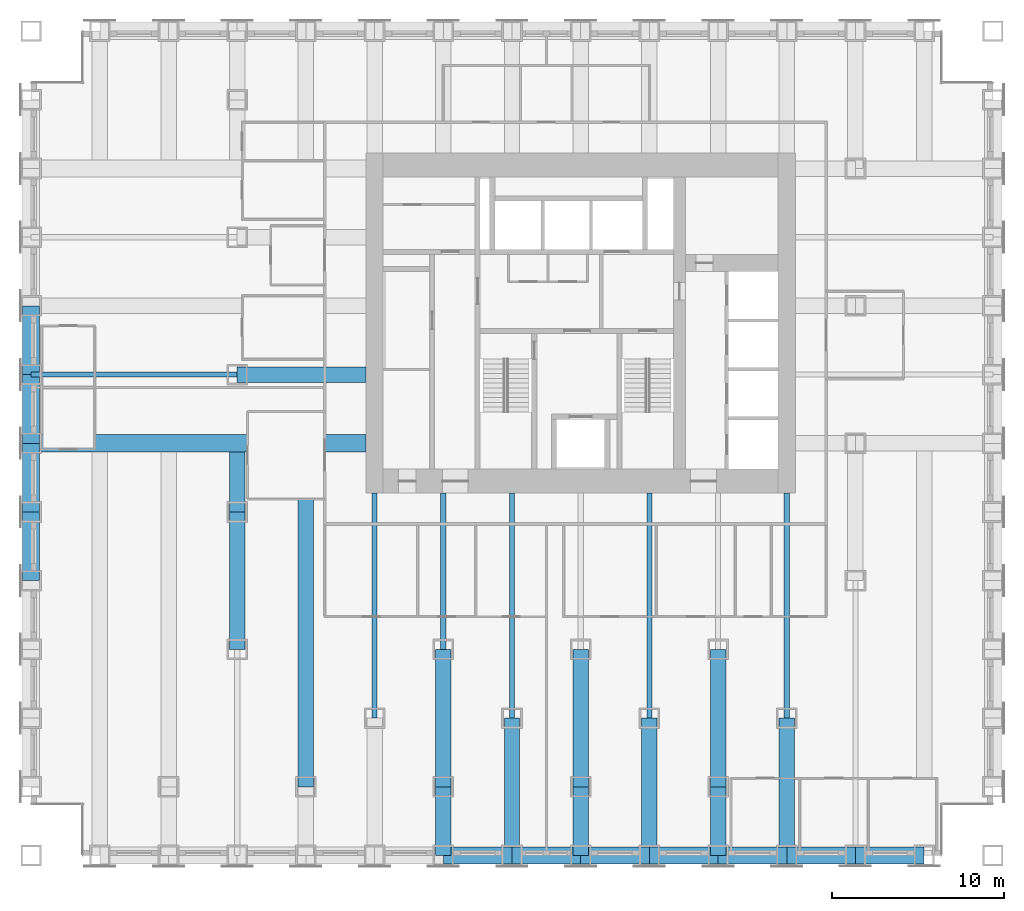
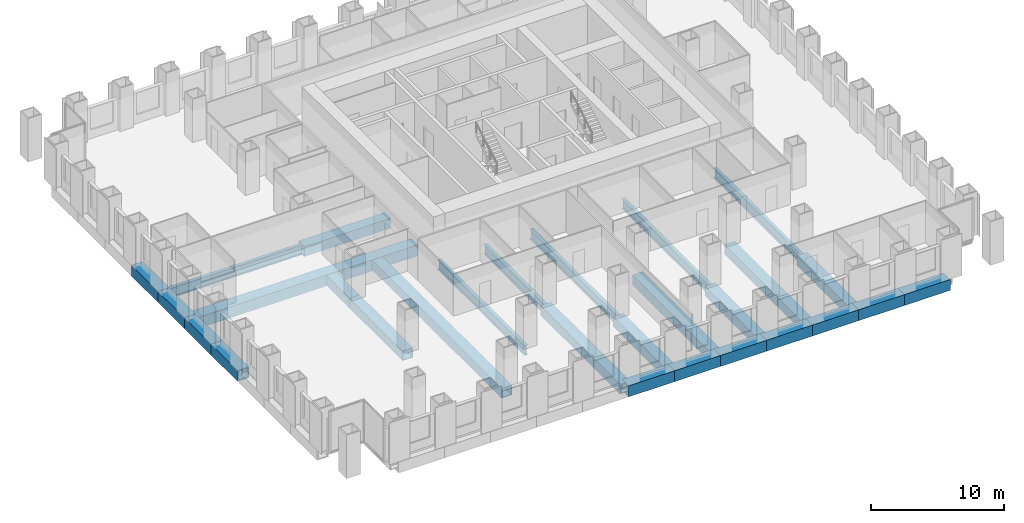
# One storey, part 3 of 15: 31 beams.
"""IFC4 building model written with IfcOpenShell, lengths in metres."""

from ifc_helpers import new_model, si_unit, direction, frame, origin, origin_2d, place, context, subcontext, project, spatial, hollow_rectangle, i_section, extrude, material, material_profile, profile_set, type_object, element, save


model = new_model("IFC4")

# Units and contexts
model_context = context("Model", 3, precision=1e-05, world=origin(), true_north=direction((0.0, 1.0)))
body_context = subcontext(model_context, "Body", "Model", "MODEL_VIEW")
ifc_project = project(units=[si_unit("LENGTHUNIT", "METRE"), si_unit("AREAUNIT", "SQUARE_METRE"), si_unit("VOLUMEUNIT", "CUBIC_METRE"), si_unit("PLANEANGLEUNIT", "RADIAN"), si_unit("MASSUNIT", "GRAM", prefix="KILO")], contexts=[model_context])

# Site, building, storey
site_placement = place(None, origin())
site = spatial("IfcSite", under=ifc_project, at=site_placement, CompositionType="ELEMENT")
building_placement = place(site_placement, origin())
building = spatial("IfcBuilding", under=site, at=building_placement, Name="Rimbunsela Tower", CompositionType="ELEMENT")
storey_placement = place(building_placement, frame((0.0, 0.0, 27.0)))
storey = spatial("IfcBuildingStorey", under=building, at=storey_placement, Name="L06", CompositionType="ELEMENT", Elevation=27.0)

# Beams
ifc_material_1 = material(Name="Steel BJ 55 (fy 410 MPa)", Category="steel")
ifc_material_profile_1 = material_profile(ifc_material_1, hollow_rectangle(XDim=1.0, YDim=1.0, WallThickness=0.10009765625, at=origin_2d()), Name="BOX 1000x1000x100")
ifc_profile_set_1 = profile_set([ifc_material_profile_1], Name="Steel BJ 55 (fy 410 MPa)")
beam_type_1 = type_object("IfcBeamType", Name="Beam BOX 1000x1000x100", PredefinedType="BEAM", material=ifc_profile_set_1)
for number, where, z_axis, x_axis, name in (
    (1, (-2.0, 12.0, -0.64990234375), (0.0, 1.0, 0.0), (-1.0, 0.0, 0.0), "Beam B3 L06"),
    (2, (-2.0, 16.0, -0.64990234375), (0.0, 1.0, 0.0), (-1.0, 0.0, 0.0), "Beam B3 L06"),
    (3, (-2.0, 20.0, -0.64990234375), (0.0, 1.0, 0.0), (-1.0, 0.0, 0.0), "Beam B3 L06"),
):
    element("IfcBeam", number, at=place(storey_placement, frame(where, z_axis=z_axis, x_axis=x_axis)), inside=storey, type_object=beam_type_1, Name=name, PredefinedType="BEAM", context=body_context, shape_type="SweptSolid", body=[
        extrude(hollow_rectangle(XDim=1.0, YDim=1.0, WallThickness=0.10009765625, at=origin_2d()), origin(), (0.0, 0.0, 1.0), 4.0),
    ])
beam_1_placement = place(storey_placement, frame((-2.0, 20.0, -0.64990234375), z_axis=(1.0, 0.0, 0.0), x_axis=(0.0, 1.0, 0.0)))
element("IfcBeam", 4, at=beam_1_placement, inside=storey, type_object=beam_type_1, Name="Beam B3 L06", PredefinedType="BEAM", context=body_context, shape_type="SweptSolid", body=[
    extrude(hollow_rectangle(XDim=1.0, YDim=1.0, WallThickness=0.10009765625, at=origin_2d()), origin(), (0.0, 0.0, 1.0), 19.5),
])
for number, where, z_axis, x_axis, name in (
    (5, (-2.0, 24.0, -0.64990234375), (0.0, 1.0, 0.0), (-1.0, 0.0, 0.0), "Beam B3 L06"),
    (6, (22.0, -4.0, -0.64990234375), (1.0, 0.0, 0.0), (0.0, 1.0, 0.0), "Beam B3 L06"),
    (7, (26.0, -4.0, -0.64990234375), (1.0, 0.0, 0.0), (0.0, 1.0, 0.0), "Beam B3 L06"),
    (8, (30.0, -4.0, -0.64990234375), (1.0, 0.0, 0.0), (0.0, 1.0, 0.0), "Beam B3 L06"),
    (9, (34.0, -4.0, -0.64990234375), (1.0, 0.0, 0.0), (0.0, 1.0, 0.0), "Beam B3 L06"),
    (10, (38.0, -4.0, -0.64990234375), (1.0, 0.0, 0.0), (0.0, 1.0, 0.0), "Beam B3 L06"),
    (11, (42.0, -4.0, -0.64990234375), (1.0, 0.0, 0.0), (0.0, 1.0, 0.0), "Beam B3 L06"),
    (12, (46.0, -4.0, -0.64990234375), (1.0, 0.0, 0.0), (0.0, 1.0, 0.0), "Beam B3 L06"),
):
    element("IfcBeam", number, at=place(storey_placement, frame(where, z_axis=z_axis, x_axis=x_axis)), inside=storey, type_object=beam_type_1, Name=name, PredefinedType="BEAM", context=body_context, shape_type="SweptSolid", body=[
        extrude(hollow_rectangle(XDim=1.0, YDim=1.0, WallThickness=0.10009765625, at=origin_2d()), origin(), (0.0, 0.0, 1.0), 4.0),
    ])
ifc_material_2 = material(Name="Steel BJ 55 (fy 410 MPa)", Category="steel")
ifc_material_profile_2 = material_profile(ifc_material_2, hollow_rectangle(XDim=0.89990234375, YDim=0.89990234375, WallThickness=0.06005859375, at=origin_2d()), Name="BOX 900x900x60")
ifc_profile_set_2 = profile_set([ifc_material_profile_2], Name="Steel BJ 55 (fy 410 MPa)")
beam_type_2 = type_object("IfcBeamType", Name="Beam BOX 900x900x60", PredefinedType="BEAM", material=ifc_profile_set_2)
beam_2_placement = place(storey_placement, frame((10.0, 8.0, -0.60009765625), z_axis=(0.0, 1.0, 0.0), x_axis=(-1.0, 0.0, 0.0)))
element("IfcBeam", 13, at=beam_2_placement, inside=storey, type_object=beam_type_2, Name="Beam B1 L06", PredefinedType="BEAM", context=body_context, shape_type="SweptSolid", body=[
    extrude(hollow_rectangle(XDim=0.89990234375, YDim=0.89990234375, WallThickness=0.06005859375, at=origin_2d()), origin(), (0.0, 0.0, 1.0), 8.0),
])
beam_3_placement = place(storey_placement, frame((10.0, 16.0, -0.60009765625), z_axis=(0.0, 1.0, 0.0), x_axis=(-1.0, 0.0, 0.0)))
element("IfcBeam", 14, at=beam_3_placement, inside=storey, type_object=beam_type_2, Name="Beam B1 L06", PredefinedType="BEAM", context=body_context, shape_type="SweptSolid", body=[
    extrude(hollow_rectangle(XDim=0.89990234375, YDim=0.89990234375, WallThickness=0.06005859375, at=origin_2d()), origin(), (0.0, 0.0, 1.0), 3.5),
])
beam_4_placement = place(storey_placement, frame((10.0, 24.0, -0.60009765625), z_axis=(1.0, 0.0, 0.0), x_axis=(0.0, 1.0, 0.0)))
element("IfcBeam", 15, at=beam_4_placement, inside=storey, type_object=beam_type_2, Name="Beam B1 L06", PredefinedType="BEAM", context=body_context, shape_type="SweptSolid", body=[
    extrude(hollow_rectangle(XDim=0.89990234375, YDim=0.89990234375, WallThickness=0.06005859375, at=origin_2d()), origin(), (0.0, 0.0, 1.0), 7.5),
])
beam_5_placement = place(storey_placement, frame((14.0, 0.0, -0.60009765625), z_axis=(0.0, 1.0, 0.0), x_axis=(-1.0, 0.0, 0.0)))
element("IfcBeam", 16, at=beam_5_placement, inside=storey, type_object=beam_type_2, Name="Beam B1 L06", PredefinedType="BEAM", context=body_context, shape_type="SweptSolid", body=[
    extrude(hollow_rectangle(XDim=0.89990234375, YDim=0.89990234375, WallThickness=0.06005859375, at=origin_2d()), origin(), (0.0, 0.0, 1.0), 19.5),
])
beam_6_placement = place(storey_placement, frame((22.0, -4.0, -0.60009765625), z_axis=(0.0, 1.0, 0.0), x_axis=(-1.0, 0.0, 0.0)))
element("IfcBeam", 17, at=beam_6_placement, inside=storey, type_object=beam_type_2, Name="Beam B1 L06", PredefinedType="BEAM", context=body_context, shape_type="SweptSolid", body=[
    extrude(hollow_rectangle(XDim=0.89990234375, YDim=0.89990234375, WallThickness=0.06005859375, at=origin_2d()), origin(), (0.0, 0.0, 1.0), 4.0),
])
for number, where, z_axis, x_axis, name in (
    (18, (22.0, 0.0, -0.60009765625), (0.0, 1.0, 0.0), (-1.0, 0.0, 0.0), "Beam B1 L06"),
    (19, (26.0, -4.0, -0.60009765625), (0.0, 1.0, 0.0), (-1.0, 0.0, 0.0), "Beam B1 L06"),
):
    element("IfcBeam", number, at=place(storey_placement, frame(where, z_axis=z_axis, x_axis=x_axis)), inside=storey, type_object=beam_type_2, Name=name, PredefinedType="BEAM", context=body_context, shape_type="SweptSolid", body=[
        extrude(hollow_rectangle(XDim=0.89990234375, YDim=0.89990234375, WallThickness=0.06005859375, at=origin_2d()), origin(), (0.0, 0.0, 1.0), 8.0),
    ])
beam_7_placement = place(storey_placement, frame((30.0, -4.0, -0.60009765625), z_axis=(0.0, 1.0, 0.0), x_axis=(-1.0, 0.0, 0.0)))
element("IfcBeam", 20, at=beam_7_placement, inside=storey, type_object=beam_type_2, Name="Beam B1 L06", PredefinedType="BEAM", context=body_context, shape_type="SweptSolid", body=[
    extrude(hollow_rectangle(XDim=0.89990234375, YDim=0.89990234375, WallThickness=0.06005859375, at=origin_2d()), origin(), (0.0, 0.0, 1.0), 4.0),
])
for number, where, z_axis, x_axis, name in (
    (21, (30.0, 0.0, -0.60009765625), (0.0, 1.0, 0.0), (-1.0, 0.0, 0.0), "Beam B1 L06"),
    (22, (34.0, -4.0, -0.60009765625), (0.0, 1.0, 0.0), (-1.0, 0.0, 0.0), "Beam B1 L06"),
):
    element("IfcBeam", number, at=place(storey_placement, frame(where, z_axis=z_axis, x_axis=x_axis)), inside=storey, type_object=beam_type_2, Name=name, PredefinedType="BEAM", context=body_context, shape_type="SweptSolid", body=[
        extrude(hollow_rectangle(XDim=0.89990234375, YDim=0.89990234375, WallThickness=0.06005859375, at=origin_2d()), origin(), (0.0, 0.0, 1.0), 8.0),
    ])
beam_8_placement = place(storey_placement, frame((38.0, -4.0, -0.60009765625), z_axis=(0.0, 1.0, 0.0), x_axis=(-1.0, 0.0, 0.0)))
element("IfcBeam", 23, at=beam_8_placement, inside=storey, type_object=beam_type_2, Name="Beam B1 L06", PredefinedType="BEAM", context=body_context, shape_type="SweptSolid", body=[
    extrude(hollow_rectangle(XDim=0.89990234375, YDim=0.89990234375, WallThickness=0.06005859375, at=origin_2d()), origin(), (0.0, 0.0, 1.0), 4.0),
])
for number, where, z_axis, x_axis, name in (
    (24, (38.0, 0.0, -0.60009765625), (0.0, 1.0, 0.0), (-1.0, 0.0, 0.0), "Beam B1 L06"),
    (25, (42.0, -4.0, -0.60009765625), (0.0, 1.0, 0.0), (-1.0, 0.0, 0.0), "Beam B1 L06"),
):
    element("IfcBeam", number, at=place(storey_placement, frame(where, z_axis=z_axis, x_axis=x_axis)), inside=storey, type_object=beam_type_2, Name=name, PredefinedType="BEAM", context=body_context, shape_type="SweptSolid", body=[
        extrude(hollow_rectangle(XDim=0.89990234375, YDim=0.89990234375, WallThickness=0.06005859375, at=origin_2d()), origin(), (0.0, 0.0, 1.0), 8.0),
    ])
ifc_material_3 = material(Name="Steel BJ 55 (fy 410 MPa)", Category="steel")
ifc_material_profile_3 = material_profile(ifc_material_3, i_section(OverallWidth=0.300048828125, OverallDepth=0.89990234375, WebThickness=0.01611328125, FlangeThickness=0.028076171875, FilletRadius=0.028076171875, at=origin_2d()), Name="H 900x300x16x28")
ifc_profile_set_3 = profile_set([ifc_material_profile_3], Name="Steel BJ 55 (fy 410 MPa)")
beam_type_3 = type_object("IfcBeamType", Name="Beam H 900x300x16x28", PredefinedType="BEAM", material=ifc_profile_set_3)
beam_9_placement = place(storey_placement, frame((-2.0, 24.0, -0.60009765625), z_axis=(1.0, 0.0, 0.0), x_axis=(0.0, 1.0, 0.0)))
element("IfcBeam", 26, at=beam_9_placement, inside=storey, type_object=beam_type_3, Name="Beam B2 L06", PredefinedType="BEAM", context=body_context, shape_type="SweptSolid", body=[
    extrude(i_section(OverallWidth=0.300048828125, OverallDepth=0.89990234375, WebThickness=0.01611328125, FlangeThickness=0.028076171875, FilletRadius=0.028076171875, at=origin_2d()), origin(), (0.0, 0.0, 1.0), 12.0),
])
beam_10_placement = place(storey_placement, frame((18.0, 4.0, -0.60009765625), z_axis=(0.0, 1.0, 0.0), x_axis=(-1.0, 0.0, 0.0)))
element("IfcBeam", 27, at=beam_10_placement, inside=storey, type_object=beam_type_3, Name="Beam B2 L06", PredefinedType="BEAM", context=body_context, shape_type="SweptSolid", body=[
    extrude(i_section(OverallWidth=0.300048828125, OverallDepth=0.89990234375, WebThickness=0.01611328125, FlangeThickness=0.028076171875, FilletRadius=0.028076171875, at=origin_2d()), origin(), (0.0, 0.0, 1.0), 13.10009765625),
])
beam_11_placement = place(storey_placement, frame((22.0, 8.0, -0.60009765625), z_axis=(0.0, 1.0, 0.0), x_axis=(-1.0, 0.0, 0.0)))
element("IfcBeam", 28, at=beam_11_placement, inside=storey, type_object=beam_type_3, Name="Beam B2 L06", PredefinedType="BEAM", context=body_context, shape_type="SweptSolid", body=[
    extrude(i_section(OverallWidth=0.300048828125, OverallDepth=0.89990234375, WebThickness=0.01611328125, FlangeThickness=0.028076171875, FilletRadius=0.028076171875, at=origin_2d()), origin(), (0.0, 0.0, 1.0), 9.10009765625),
])
for number, where, z_axis, x_axis, name in (
    (29, (26.0, 4.0, -0.60009765625), (0.0, 1.0, 0.0), (-1.0, 0.0, 0.0), "Beam B2 L06"),
    (30, (34.0, 4.0, -0.60009765625), (0.0, 1.0, 0.0), (-1.0, 0.0, 0.0), "Beam B2 L06"),
    (31, (42.0, 4.0, -0.60009765625), (0.0, 1.0, 0.0), (-1.0, 0.0, 0.0), "Beam B2 L06"),
):
    element("IfcBeam", number, at=place(storey_placement, frame(where, z_axis=z_axis, x_axis=x_axis)), inside=storey, type_object=beam_type_3, Name=name, PredefinedType="BEAM", context=body_context, shape_type="SweptSolid", body=[
        extrude(i_section(OverallWidth=0.300048828125, OverallDepth=0.89990234375, WebThickness=0.01611328125, FlangeThickness=0.028076171875, FilletRadius=0.028076171875, at=origin_2d()), origin(), (0.0, 0.0, 1.0), 13.10009765625),
    ])

save(model, "model.ifc")
